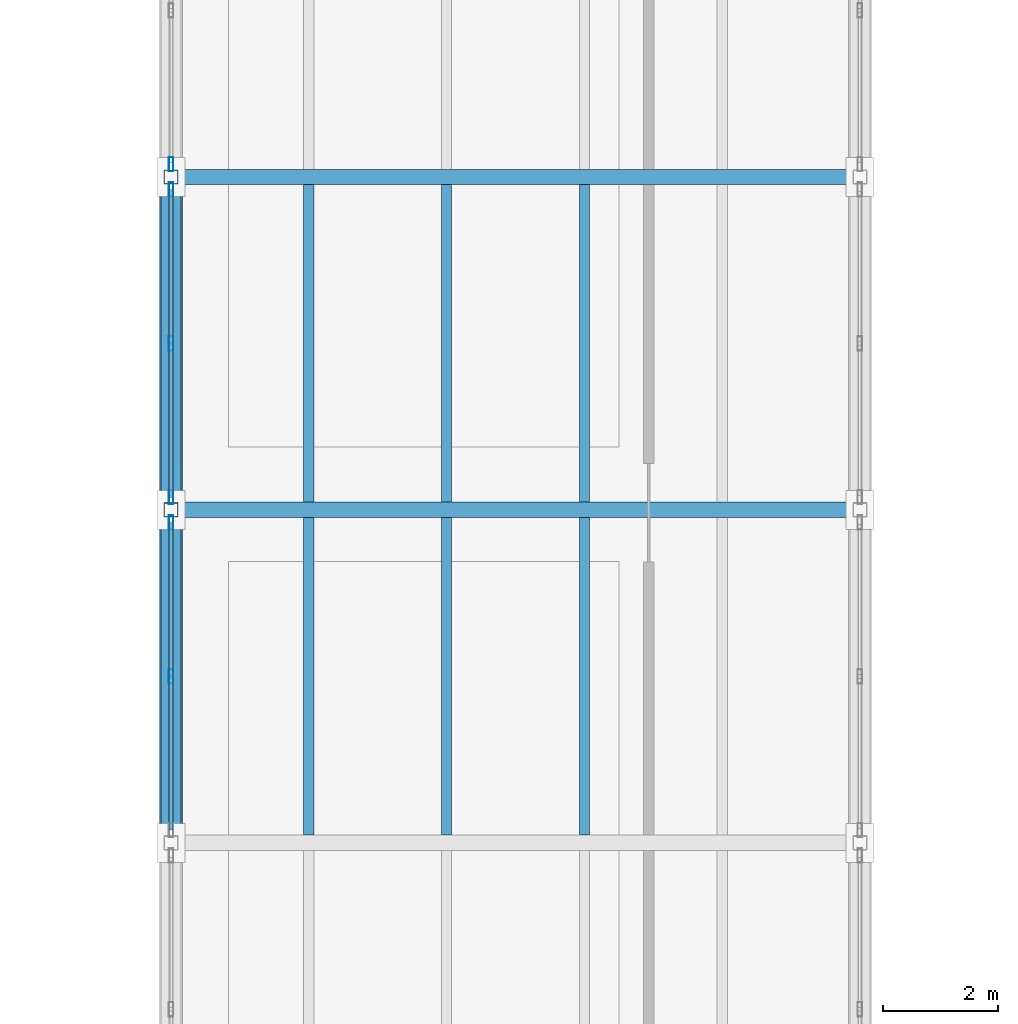
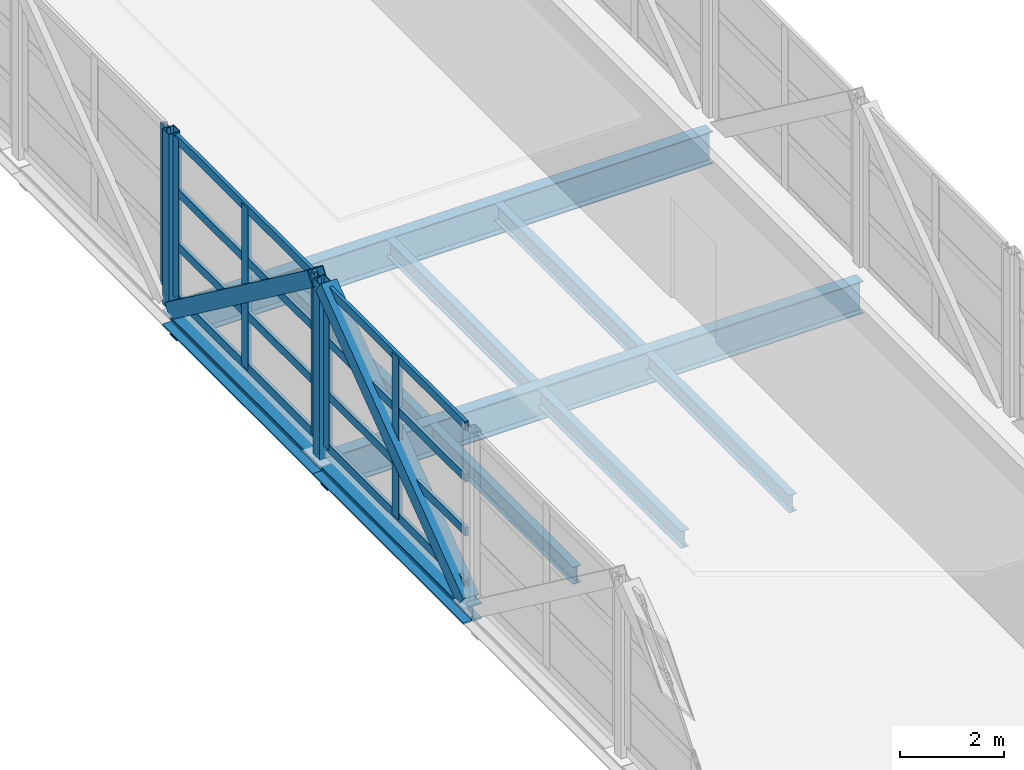
# One storey, part 14 of 63: 18 members, 10 beams, 3 elements without a shape of their own.
"""IFC4 building model written with IfcOpenShell, lengths in metres."""

from ifc_helpers import new_model, si_unit, direction, frame, origin, origin_2d, place, context, subcontext, project, spatial, hollow_rectangle, i_section, extrude, material, material_profile, profile_set, type_object, element, aggregate, save


model = new_model("IFC4")

# Units and contexts
model_context = context("Model", 3, precision=1e-05, world=origin(), true_north=direction((0.0, 1.0)))
body_context = subcontext(model_context, "Body", "Model", "MODEL_VIEW")
ifc_project = project(units=[si_unit("LENGTHUNIT", "METRE"), si_unit("AREAUNIT", "SQUARE_METRE"), si_unit("VOLUMEUNIT", "CUBIC_METRE"), si_unit("PLANEANGLEUNIT", "RADIAN"), si_unit("MASSUNIT", "GRAM", prefix="KILO")], contexts=[model_context])

# Site, building, storey
site_placement = place(None, origin())
site = spatial("IfcSite", under=ifc_project, at=site_placement, CompositionType="ELEMENT")
building_placement = place(site_placement, origin())
building = spatial("IfcBuilding", under=site, at=building_placement, Name="Kelmvaro Bay Concert Hall", CompositionType="ELEMENT")
storey_placement = place(building_placement, frame((0.0, 0.0, 13.800048828125)))
storey = spatial("IfcBuildingStorey", under=building, at=storey_placement, Name="L03", CompositionType="ELEMENT", Elevation=13.800048828125)

# Beams
ifc_material_1 = material(Name="Steel ASTM A992 Grade 50", Category="steel")
ifc_material_profile_1 = material_profile(ifc_material_1, i_section(OverallWidth=0.177978515625, OverallDepth=0.406005859375, WebThickness=0.0078125, FlangeThickness=0.0126953125, at=origin_2d()), Name="W16X40")
ifc_profile_set_1 = profile_set([ifc_material_profile_1], Name="Steel ASTM A992 Grade 50")
beam_type_1 = type_object("IfcBeamType", Name="Bridge Deck Floor Joist W16x40", PredefinedType="JOIST", material=ifc_profile_set_1)
for number, where, z_axis, x_axis, name in (
    (1, (122.39990234375, 50.7333984375, -0.532958984375), (0.0, 1.0, 0.0), (-1.0, 0.0, 0.0), "Bridge Deck Joist L03-11"),
    (2, (124.800048828125, 50.7333984375, -0.532958984375), (0.0, 1.0, 0.0), (-1.0, 0.0, 0.0), "Bridge Deck Joist L03-11"),
    (3, (127.199951171875, 50.7333984375, -0.532958984375), (0.0, 1.0, 0.0), (-1.0, 0.0, 0.0), "Bridge Deck Joist L03-11"),
):
    element("IfcBeam", number, at=place(storey_placement, frame(where, z_axis=z_axis, x_axis=x_axis)), inside=storey, type_object=beam_type_1, Name=name, PredefinedType="JOIST", context=body_context, shape_type="SweptSolid", body=[
        extrude(i_section(OverallWidth=0.177978515625, OverallDepth=0.406005859375, WebThickness=0.0078125, FlangeThickness=0.0126953125, at=origin_2d()), origin(), (0.0, 0.0, 1.0), 5.533203125),
    ])
for number, where, z_axis, x_axis, name in (
    (4, (122.39990234375, 56.533447265625, -0.532958984375), (0.0, 1.0, 0.0), (-1.0, 0.0, 0.0), "Bridge Deck Joist L03-12"),
    (5, (124.800048828125, 56.533447265625, -0.532958984375), (0.0, 1.0, 0.0), (-1.0, 0.0, 0.0), "Bridge Deck Joist L03-12"),
    (6, (127.199951171875, 56.533447265625, -0.532958984375), (0.0, 1.0, 0.0), (-1.0, 0.0, 0.0), "Bridge Deck Joist L03-12"),
):
    element("IfcBeam", number, at=place(storey_placement, frame(where, z_axis=z_axis, x_axis=x_axis)), inside=storey, type_object=beam_type_1, Name=name, PredefinedType="JOIST", context=body_context, shape_type="SweptSolid", body=[
        extrude(i_section(OverallWidth=0.177978515625, OverallDepth=0.406005859375, WebThickness=0.0078125, FlangeThickness=0.0126953125, at=origin_2d()), origin(), (0.0, 0.0, 1.0), 5.532958984375),
    ])

# Curtain wall, members
ifc_material_2 = material(Name="Anodised Aluminium and Low-E Insulated Glazing", Category="aluminium")
curtain_wall_type = type_object("IfcCurtainWallType", Name="Rehearsal Bridge Truss Curtain Wall 4020", PredefinedType="USERDEFINED", material=ifc_material_2)
curtain_wall_1_placement = place(storey_placement, origin())
curtain_wall_1 = element("IfcCurtainWall", 7, at=curtain_wall_1_placement, inside=storey, type_object=curtain_wall_type, Name="Unitised Curtain Wall CW-BRG-W11", ObjectType="UNITISED GLAZING", PredefinedType="USERDEFINED")
ifc_material_3 = material(Name="Anodised Extruded Aluminium 6063-T6", Category="aluminium")
ifc_material_profile_2 = material_profile(ifc_material_3, hollow_rectangle(XDim=0.080078125, YDim=0.25, WallThickness=0.005615234375, at=origin_2d()), Name="ALU-MUL-250X80")
ifc_profile_set_2 = profile_set([ifc_material_profile_2], Name="Anodised Extruded Aluminium 6063-T6")
member_type_1 = type_object("IfcMemberType", Name="Bridge Hurricane Mullion ALU 250x80", PredefinedType="MULLION", material=ifc_profile_set_2)
member_1_placement = place(storey_placement, frame((120.0, 53.5, 0.0), z_axis=(0.0, 0.0, 1.0), x_axis=(1.0, 0.0, 0.0)))
member_1 = element("IfcMember", 8, at=member_1_placement, type_object=member_type_1, Name="CW-BRG-W11 Mullion 02", PredefinedType="MULLION", context=body_context, shape_type="SweptSolid", body=[
    extrude(hollow_rectangle(XDim=0.080078125, YDim=0.25, WallThickness=0.005615234375, at=origin_2d()), origin(), (0.0, 0.0, 1.0), 3.800048828125),
])
member_2_placement = place(storey_placement, frame((120.0, 56.179931640625, 0.0), z_axis=(0.0, 0.0, 1.0), x_axis=(1.0, 0.0, 0.0)))
member_2 = element("IfcMember", 9, at=member_2_placement, type_object=member_type_1, Name="CW-BRG-W11 Mullion 03", PredefinedType="MULLION", context=body_context, shape_type="SweptSolid", body=[
    extrude(hollow_rectangle(XDim=0.080078125, YDim=0.25, WallThickness=0.005615234375, at=origin_2d()), origin(), (0.0, 0.0, 1.0), 3.800048828125),
])

curtain_wall_2_placement = place(storey_placement, origin())
curtain_wall_2 = element("IfcCurtainWall", 10, at=curtain_wall_2_placement, inside=storey, type_object=curtain_wall_type, Name="Unitised Curtain Wall CW-BRG-W12", ObjectType="UNITISED GLAZING", PredefinedType="USERDEFINED")
member_3_placement = place(storey_placement, frame((120.0, 56.6201171875, 0.0), z_axis=(0.0, 0.0, 1.0), x_axis=(1.0, 0.0, 0.0)))
member_3 = element("IfcMember", 11, at=member_3_placement, type_object=member_type_1, Name="CW-BRG-W12 Mullion 01", PredefinedType="MULLION", context=body_context, shape_type="SweptSolid", body=[
    extrude(hollow_rectangle(XDim=0.080078125, YDim=0.25, WallThickness=0.005615234375, at=origin_2d()), origin(), (0.0, 0.0, 1.0), 3.800048828125),
])
member_4_placement = place(storey_placement, frame((120.0, 59.300048828125, 0.0), z_axis=(0.0, 0.0, 1.0), x_axis=(1.0, 0.0, 0.0)))
member_4 = element("IfcMember", 12, at=member_4_placement, type_object=member_type_1, Name="CW-BRG-W12 Mullion 02", PredefinedType="MULLION", context=body_context, shape_type="SweptSolid", body=[
    extrude(hollow_rectangle(XDim=0.080078125, YDim=0.25, WallThickness=0.005615234375, at=origin_2d()), origin(), (0.0, 0.0, 1.0), 3.800048828125),
])
member_5_placement = place(storey_placement, frame((120.0, 61.97998046875, 0.0), z_axis=(0.0, 0.0, 1.0), x_axis=(1.0, 0.0, 0.0)))
member_5 = element("IfcMember", 13, at=member_5_placement, type_object=member_type_1, Name="CW-BRG-W12 Mullion 03", PredefinedType="MULLION", context=body_context, shape_type="SweptSolid", body=[
    extrude(hollow_rectangle(XDim=0.080078125, YDim=0.25, WallThickness=0.005615234375, at=origin_2d()), origin(), (0.0, 0.0, 1.0), 3.800048828125),
])

# Curtain wall, member
curtain_wall_3_placement = place(storey_placement, origin())
curtain_wall_3 = element("IfcCurtainWall", 14, at=curtain_wall_3_placement, inside=storey, type_object=curtain_wall_type, Name="Unitised Curtain Wall CW-BRG-W13", ObjectType="UNITISED GLAZING", PredefinedType="USERDEFINED")
member_6_placement = place(storey_placement, frame((120.0, 62.419921875, 0.0), z_axis=(0.0, 0.0, 1.0), x_axis=(1.0, 0.0, 0.0)))
member_6 = element("IfcMember", 15, at=member_6_placement, type_object=member_type_1, Name="CW-BRG-W13 Mullion 01", PredefinedType="MULLION", context=body_context, shape_type="SweptSolid", body=[
    extrude(hollow_rectangle(XDim=0.080078125, YDim=0.25, WallThickness=0.005615234375, at=origin_2d()), origin(), (0.0, 0.0, 1.0), 3.800048828125),
])
aggregate(curtain_wall_3, [member_6])

# Member
ifc_material_4 = material(Name="Anodised Extruded Aluminium 6063-T6", Category="aluminium")
ifc_material_profile_3 = material_profile(ifc_material_4, hollow_rectangle(XDim=0.074951171875, YDim=0.199951171875, WallThickness=0.0048828125, at=origin_2d()), Name="ALU-TRN-200X75")
ifc_profile_set_3 = profile_set([ifc_material_profile_3], Name="Anodised Extruded Aluminium 6063-T6")
member_type_2 = type_object("IfcMemberType", Name="Bridge Hurricane Transom ALU 200x75", PredefinedType="USERDEFINED", material=ifc_profile_set_3)
member_7_placement = place(storey_placement, frame((120.0, 50.820068359375, 0.0400390625), z_axis=(0.0, 1.0, 0.0), x_axis=(-1.0, 0.0, 0.0)))
member_7 = element("IfcMember", 16, at=member_7_placement, type_object=member_type_2, Name="CW-BRG-W11 Transom 01", ObjectType="TRANSOM", PredefinedType="USERDEFINED", context=body_context, shape_type="SweptSolid", body=[
    extrude(hollow_rectangle(XDim=0.074951171875, YDim=0.199951171875, WallThickness=0.0048828125, at=origin_2d()), origin(), (0.0, 0.0, 1.0), 5.35986328125),
])

member_8_placement = place(storey_placement, frame((120.0, 50.820068359375, 1.2666015625), z_axis=(0.0, 1.0, 0.0), x_axis=(-1.0, 0.0, 0.0)))
member_8 = element("IfcMember", 17, at=member_8_placement, type_object=member_type_2, Name="CW-BRG-W11 Transom 02", ObjectType="TRANSOM", PredefinedType="USERDEFINED", context=body_context, shape_type="SweptSolid", body=[
    extrude(hollow_rectangle(XDim=0.074951171875, YDim=0.199951171875, WallThickness=0.0048828125, at=origin_2d()), origin(), (0.0, 0.0, 1.0), 5.35986328125),
])

member_9_placement = place(storey_placement, frame((120.0, 50.820068359375, 2.533203125), z_axis=(0.0, 1.0, 0.0), x_axis=(-1.0, 0.0, 0.0)))
member_9 = element("IfcMember", 18, at=member_9_placement, type_object=member_type_2, Name="CW-BRG-W11 Transom 03", ObjectType="TRANSOM", PredefinedType="USERDEFINED", context=body_context, shape_type="SweptSolid", body=[
    extrude(hollow_rectangle(XDim=0.074951171875, YDim=0.199951171875, WallThickness=0.0048828125, at=origin_2d()), origin(), (0.0, 0.0, 1.0), 5.35986328125),
])

member_10_placement = place(storey_placement, frame((120.0, 50.820068359375, 3.760009765625), z_axis=(0.0, 1.0, 0.0), x_axis=(-1.0, 0.0, 0.0)))
member_10 = element("IfcMember", 19, at=member_10_placement, type_object=member_type_2, Name="CW-BRG-W11 Transom 04", ObjectType="TRANSOM", PredefinedType="USERDEFINED", context=body_context, shape_type="SweptSolid", body=[
    extrude(hollow_rectangle(XDim=0.074951171875, YDim=0.199951171875, WallThickness=0.0048828125, at=origin_2d()), origin(), (0.0, 0.0, 1.0), 5.35986328125),
])

aggregate(curtain_wall_1, [member_1, member_2, member_7, member_8, member_9, member_10])

member_11_placement = place(storey_placement, frame((120.0, 56.6201171875, 0.0400390625), z_axis=(0.0, 1.0, 0.0), x_axis=(-1.0, 0.0, 0.0)))
member_11 = element("IfcMember", 20, at=member_11_placement, type_object=member_type_2, Name="CW-BRG-W12 Transom 01", ObjectType="TRANSOM", PredefinedType="USERDEFINED", context=body_context, shape_type="SweptSolid", body=[
    extrude(hollow_rectangle(XDim=0.074951171875, YDim=0.199951171875, WallThickness=0.0048828125, at=origin_2d()), origin(), (0.0, 0.0, 1.0), 5.35986328125),
])

member_12_placement = place(storey_placement, frame((120.0, 56.6201171875, 1.2666015625), z_axis=(0.0, 1.0, 0.0), x_axis=(-1.0, 0.0, 0.0)))
member_12 = element("IfcMember", 21, at=member_12_placement, type_object=member_type_2, Name="CW-BRG-W12 Transom 02", ObjectType="TRANSOM", PredefinedType="USERDEFINED", context=body_context, shape_type="SweptSolid", body=[
    extrude(hollow_rectangle(XDim=0.074951171875, YDim=0.199951171875, WallThickness=0.0048828125, at=origin_2d()), origin(), (0.0, 0.0, 1.0), 5.35986328125),
])

member_13_placement = place(storey_placement, frame((120.0, 56.6201171875, 2.533203125), z_axis=(0.0, 1.0, 0.0), x_axis=(-1.0, 0.0, 0.0)))
member_13 = element("IfcMember", 22, at=member_13_placement, type_object=member_type_2, Name="CW-BRG-W12 Transom 03", ObjectType="TRANSOM", PredefinedType="USERDEFINED", context=body_context, shape_type="SweptSolid", body=[
    extrude(hollow_rectangle(XDim=0.074951171875, YDim=0.199951171875, WallThickness=0.0048828125, at=origin_2d()), origin(), (0.0, 0.0, 1.0), 5.35986328125),
])

member_14_placement = place(storey_placement, frame((120.0, 56.6201171875, 3.760009765625), z_axis=(0.0, 1.0, 0.0), x_axis=(-1.0, 0.0, 0.0)))
member_14 = element("IfcMember", 23, at=member_14_placement, type_object=member_type_2, Name="CW-BRG-W12 Transom 04", ObjectType="TRANSOM", PredefinedType="USERDEFINED", context=body_context, shape_type="SweptSolid", body=[
    extrude(hollow_rectangle(XDim=0.074951171875, YDim=0.199951171875, WallThickness=0.0048828125, at=origin_2d()), origin(), (0.0, 0.0, 1.0), 5.35986328125),
])

aggregate(curtain_wall_2, [member_3, member_4, member_5, member_11, member_12, member_13, member_14])

# Members
ifc_material_5 = material(Name="Steel ASTM A500 Grade C", Category="steel")
ifc_material_profile_4 = material_profile(ifc_material_5, hollow_rectangle(XDim=0.35009765625, YDim=0.35009765625, WallThickness=0.01611328125, at=origin_2d()), Name="HSS350X350X16")
ifc_profile_set_4 = profile_set([ifc_material_profile_4], Name="Steel ASTM A500 Grade C")
member_type_3 = type_object("IfcMemberType", Name="Bridge Standard Web Diagonal HSS350x350x16", PredefinedType="BRACE", material=ifc_profile_set_4)
for number, where, z_axis, x_axis, name in (
    (24, (120.0, 50.75927734375, -0.295654296875), (0.0, 0.802018716289, 0.597298902328), (-1.0, 0.0, 0.0), "Bridge Truss W Web Diagonal 11"),
    (25, (120.0, 56.559326171875, 3.78662109375), (0.0, 0.802018716289, -0.597298902328), (-1.0, 0.0, 0.0), "Bridge Truss W Web Diagonal 12"),
):
    element("IfcMember", number, at=place(storey_placement, frame(where, z_axis=z_axis, x_axis=x_axis)), inside=storey, type_object=member_type_3, Name=name, PredefinedType="BRACE", context=body_context, shape_type="SweptSolid", body=[
        extrude(hollow_rectangle(XDim=0.35009765625, YDim=0.35009765625, WallThickness=0.01611328125, at=origin_2d()), origin(), (0.0, 0.0, 1.0), 6.83447265625),
    ])

# Beams
ifc_material_6 = material(Name="Steel ASTM A992 Grade 50", Category="steel")
ifc_material_profile_5 = material_profile(ifc_material_6, i_section(OverallWidth=0.26708984375, OverallDepth=0.761962890625, WebThickness=0.014404296875, FlangeThickness=0.021484375, at=origin_2d()), Name="W30X116")
ifc_profile_set_5 = profile_set([ifc_material_profile_5], Name="Steel ASTM A992 Grade 50")
beam_type_2 = type_object("IfcBeamType", Name="Bridge Transverse Floor Girder W30x116", PredefinedType="BEAM", material=ifc_profile_set_5)
for number, where, z_axis, x_axis, name in (
    (26, (120.0400390625, 56.39990234375, -0.7109375), (1.0, 0.0, 0.0), (0.0, 1.0, 0.0), "Bridge Transverse Floor Girder L03-12"),
    (27, (120.0400390625, 62.199951171875, -0.7109375), (1.0, 0.0, 0.0), (0.0, 1.0, 0.0), "Bridge Transverse Floor Girder L03-13"),
):
    element("IfcBeam", number, at=place(storey_placement, frame(where, z_axis=z_axis, x_axis=x_axis)), inside=storey, type_object=beam_type_2, Name=name, PredefinedType="BEAM", context=body_context, shape_type="SweptSolid", body=[
        extrude(i_section(OverallWidth=0.26708984375, OverallDepth=0.761962890625, WebThickness=0.014404296875, FlangeThickness=0.021484375, at=origin_2d()), origin(), (0.0, 0.0, 1.0), 11.919921875),
    ])
ifc_material_7 = material(Name="Steel ASTM A992 Grade 50", Category="steel")
ifc_material_profile_6 = material_profile(ifc_material_7, i_section(OverallWidth=0.39892578125, OverallDepth=0.385986328125, WebThickness=0.02099609375, FlangeThickness=0.033203125, at=origin_2d()), Name="W14X176")
ifc_profile_set_6 = profile_set([ifc_material_profile_6], Name="Steel ASTM A992 Grade 50")
beam_type_3 = type_object("IfcBeamType", Name="Bridge Truss Bottom Chord W14x176", PredefinedType="BEAM", material=ifc_profile_set_6)
beam_1_placement = place(storey_placement, frame((120.0, 50.60009765625, -0.52294921875), z_axis=(0.0, 1.0, 0.0), x_axis=(-1.0, 0.0, 0.0)))
element("IfcBeam", 28, at=beam_1_placement, inside=storey, type_object=beam_type_3, Name="Bridge Truss W Bottom Chord 11", PredefinedType="BEAM", context=body_context, shape_type="SweptSolid", body=[
    extrude(i_section(OverallWidth=0.39892578125, OverallDepth=0.385986328125, WebThickness=0.02099609375, FlangeThickness=0.033203125, at=origin_2d()), origin(), (0.0, 0.0, 1.0), 5.7998046875),
])
beam_2_placement = place(storey_placement, frame((120.0, 56.39990234375, -0.52294921875), z_axis=(0.0, 1.0, 0.0), x_axis=(-1.0, 0.0, 0.0)))
element("IfcBeam", 29, at=beam_2_placement, inside=storey, type_object=beam_type_3, Name="Bridge Truss W Bottom Chord 12", PredefinedType="BEAM", context=body_context, shape_type="SweptSolid", body=[
    extrude(i_section(OverallWidth=0.39892578125, OverallDepth=0.385986328125, WebThickness=0.02099609375, FlangeThickness=0.033203125, at=origin_2d()), origin(), (0.0, 0.0, 1.0), 5.800048828125),
])

# Members
ifc_material_8 = material(Name="Steel ASTM A500 Grade C", Category="steel")
ifc_material_profile_7 = material_profile(ifc_material_8, hollow_rectangle(XDim=0.25, YDim=0.25, WallThickness=0.010009765625, at=origin_2d()), Name="HSS250X250X10")
ifc_profile_set_7 = profile_set([ifc_material_profile_7], Name="Steel ASTM A500 Grade C")
member_type_4 = type_object("IfcMemberType", Name="Bridge Truss Vertical Post HSS250x250x10", PredefinedType="STRUT", material=ifc_profile_set_7)
for number, where, z_axis, x_axis, name in (
    (30, (120.0, 56.39990234375, -0.322021484375), (0.0, 0.0, 1.0), (1.0, 0.0, 0.0), "Bridge Truss W Vertical Post 12"),
    (31, (120.0, 62.199951171875, -0.322021484375), (0.0, 0.0, 1.0), (1.0, 0.0, 0.0), "Bridge Truss W Vertical Post 13"),
):
    element("IfcMember", number, at=place(storey_placement, frame(where, z_axis=z_axis, x_axis=x_axis)), inside=storey, type_object=member_type_4, Name=name, PredefinedType="STRUT", context=body_context, shape_type="SweptSolid", body=[
        extrude(hollow_rectangle(XDim=0.25, YDim=0.25, WallThickness=0.010009765625, at=origin_2d()), origin(), (0.0, 0.0, 1.0), 4.135009765625),
    ])

save(model, "model.ifc")
